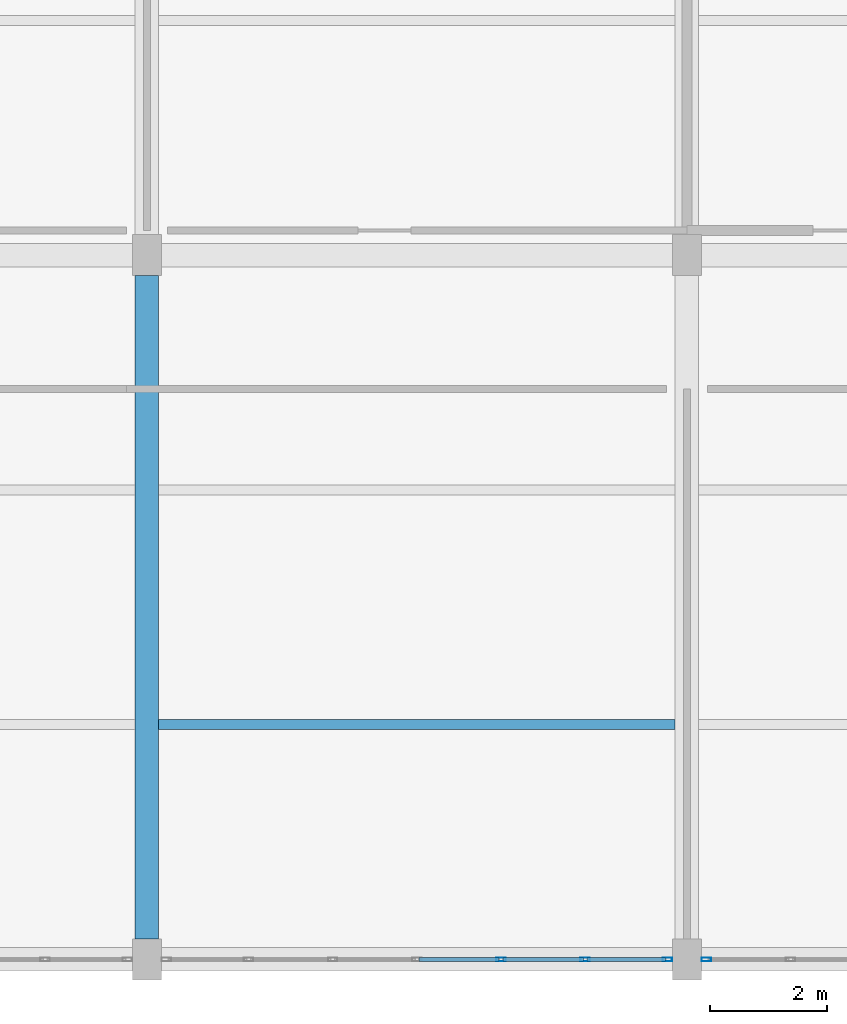
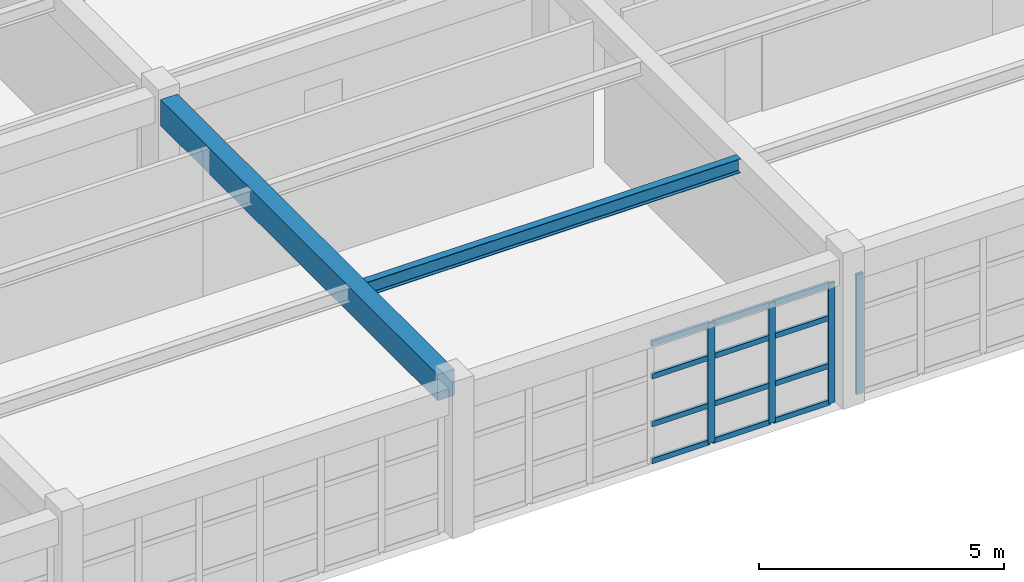
# One storey, part 23 of 150: 16 members, 2 beams, 2 elements without a shape of their own.
"""IFC4 building model written with IfcOpenShell, lengths in metres."""

from ifc_helpers import new_model, si_unit, direction, frame, origin, origin_2d, place, context, subcontext, project, spatial, rectangle, hollow_rectangle, i_section, extrude, material, material_profile, profile_set, type_object, element, aggregate, save


model = new_model("IFC4")

# Units and contexts
model_context = context("Model", 3, precision=1e-05, world=origin(), true_north=direction((0.0, 1.0)))
body_context = subcontext(model_context, "Body", "Model", "MODEL_VIEW")
ifc_project = project(units=[si_unit("LENGTHUNIT", "METRE"), si_unit("AREAUNIT", "SQUARE_METRE"), si_unit("VOLUMEUNIT", "CUBIC_METRE"), si_unit("PLANEANGLEUNIT", "RADIAN"), si_unit("MASSUNIT", "GRAM", prefix="KILO")], contexts=[model_context])

# Site, building, storey
site_placement = place(None, origin())
site = spatial("IfcSite", under=ifc_project, at=site_placement, CompositionType="ELEMENT")
building_placement = place(site_placement, origin())
building = spatial("IfcBuilding", under=site, at=building_placement, Name="Kestramere Prow Commons", CompositionType="ELEMENT")
storey_placement = place(building_placement, frame((0.0, 0.0, 4.5)))
storey = spatial("IfcBuildingStorey", under=building, at=storey_placement, Name="L01", CompositionType="ELEMENT", Elevation=4.5)

# Beam
ifc_material_1 = material(Name="Precast concrete C40/50", Category="concrete")
ifc_material_profile_1 = material_profile(ifc_material_1, rectangle(XDim=0.39990234375, YDim=0.64990234375, at=origin_2d()), Name="PC-BM 400x650")
ifc_profile_set_1 = profile_set([ifc_material_profile_1], Name="Precast concrete C40/50")
beam_type_1 = type_object("IfcBeamType", Name="BM-MK-01 PC-BM 400x650", PredefinedType="BEAM", material=ifc_profile_set_1)
beam_1_placement = place(storey_placement, frame((85.0, 0.35009765625, 3.324951171875), z_axis=(0.0, 1.0, 0.0), x_axis=(-1.0, 0.0, 0.0)))
element("IfcBeam", 1, at=beam_1_placement, inside=storey, type_object=beam_type_1, Name="Market Spine L01 Beam Y 4-1", PredefinedType="BEAM", context=body_context, shape_type="SweptSolid", body=[
    extrude(rectangle(XDim=0.39990234375, YDim=0.64990234375, at=origin_2d()), origin(), (0.0, 0.0, 1.0), 11.2998046875),
])

# Curtain wall, members
ifc_material_2 = material(Name="Anodised Aluminium and Low-E Glass", Category="aluminium")
curtain_wall_type_1 = type_object("IfcCurtainWallType", Name="CW-25 Glazed Curtain Wall 8600x2990", PredefinedType="USERDEFINED", material=ifc_material_2)
curtain_wall_1_placement = place(storey_placement, origin())
curtain_wall_1 = element("IfcCurtainWall", 2, at=curtain_wall_1_placement, inside=storey, type_object=curtain_wall_type_1, Name="Market L01 South Shopfront 4", ObjectType="GLAZED CURTAIN WALL", PredefinedType="USERDEFINED")
ifc_material_3 = material(Name="Anodised Aluminium 6063-T6", Category="aluminium")
ifc_material_profile_2 = material_profile(ifc_material_3, hollow_rectangle(XDim=0.06494140625, YDim=0.159912109375, WallThickness=0.00390625, at=origin_2d()), Name="ALU-MUL 65x160")
ifc_profile_set_2 = profile_set([ifc_material_profile_2], Name="Anodised Aluminium 6063-T6")
member_type_1 = type_object("IfcMemberType", Name="CW-MUL-65x160", PredefinedType="MULLION", material=ifc_profile_set_2)
member_1_placement = place(storey_placement, frame((93.867431640625, 0.0, 0.0), z_axis=(0.0, 0.0, 1.0), x_axis=(0.0, -1.0, 0.0)))
member_1 = element("IfcMember", 3, at=member_1_placement, type_object=member_type_1, Name="CW-25 mullion 1", PredefinedType="MULLION", context=body_context, shape_type="SweptSolid", body=[
    extrude(hollow_rectangle(XDim=0.06494140625, YDim=0.159912109375, WallThickness=0.00390625, at=origin_2d()), origin(), (0.0, 0.0, 1.0), 2.989990234375),
])
member_2_placement = place(storey_placement, frame((92.466552734375, 0.0, 0.0), z_axis=(0.0, 0.0, 1.0), x_axis=(0.0, -1.0, 0.0)))
member_2 = element("IfcMember", 4, at=member_2_placement, type_object=member_type_1, Name="CW-25 mullion 2", PredefinedType="MULLION", context=body_context, shape_type="SweptSolid", body=[
    extrude(hollow_rectangle(XDim=0.06494140625, YDim=0.159912109375, WallThickness=0.00390625, at=origin_2d()), origin(), (0.0, 0.0, 1.0), 2.989990234375),
])
member_3_placement = place(storey_placement, frame((91.033447265625, 0.0, 0.0), z_axis=(0.0, 0.0, 1.0), x_axis=(0.0, -1.0, 0.0)))
member_3 = element("IfcMember", 5, at=member_3_placement, type_object=member_type_1, Name="CW-25 mullion 3", PredefinedType="MULLION", context=body_context, shape_type="SweptSolid", body=[
    extrude(hollow_rectangle(XDim=0.06494140625, YDim=0.159912109375, WallThickness=0.00390625, at=origin_2d()), origin(), (0.0, 0.0, 1.0), 2.989990234375),
])

# Curtain wall, member
curtain_wall_type_2 = type_object("IfcCurtainWallType", Name="CW-26 Glazed Curtain Wall 8800x2990", PredefinedType="USERDEFINED", material=ifc_material_2)
curtain_wall_2_placement = place(storey_placement, origin())
curtain_wall_2 = element("IfcCurtainWall", 6, at=curtain_wall_2_placement, inside=storey, type_object=curtain_wall_type_2, Name="Market L01 South Shopfront 5", ObjectType="GLAZED CURTAIN WALL", PredefinedType="USERDEFINED")
member_4_placement = place(storey_placement, frame((94.532470703125, 0.0, 0.0), z_axis=(0.0, 0.0, 1.0), x_axis=(0.0, -1.0, 0.0)))
member_4 = element("IfcMember", 7, at=member_4_placement, type_object=member_type_1, Name="CW-26 mullion 7", PredefinedType="MULLION", context=body_context, shape_type="SweptSolid", body=[
    extrude(hollow_rectangle(XDim=0.06494140625, YDim=0.159912109375, WallThickness=0.00390625, at=origin_2d()), origin(), (0.0, 0.0, 1.0), 2.989990234375),
])
aggregate(curtain_wall_2, [member_4])

# Member
ifc_material_profile_3 = material_profile(ifc_material_3, hollow_rectangle(XDim=0.06494140625, YDim=0.1298828125, WallThickness=0.00390625, at=origin_2d()), Name="ALU-TRN 65x130")
ifc_profile_set_3 = profile_set([ifc_material_profile_3], Name="Anodised Aluminium 6063-T6")
member_type_2 = type_object("IfcMemberType", Name="CW-TRN-65x130", PredefinedType="USERDEFINED", material=ifc_profile_set_3)
member_5_placement = place(storey_placement, frame((93.8349609375, 0.0, 0.032470703125), z_axis=(-1.0, 0.0, 0.0), x_axis=(0.0, -1.0, 0.0)))
member_5 = element("IfcMember", 8, at=member_5_placement, type_object=member_type_2, Name="CW-25 transom 1.1", ObjectType="TRANSOM", PredefinedType="USERDEFINED", context=body_context, shape_type="SweptSolid", body=[
    extrude(hollow_rectangle(XDim=0.06494140625, YDim=0.1298828125, WallThickness=0.00390625, at=origin_2d()), origin(), (0.0, 0.0, 1.0), 1.335693359375),
])

member_6_placement = place(storey_placement, frame((93.8349609375, 0.0, 0.949951171875), z_axis=(-1.0, 0.0, 0.0), x_axis=(0.0, -1.0, 0.0)))
member_6 = element("IfcMember", 9, at=member_6_placement, type_object=member_type_2, Name="CW-25 transom 1.2", ObjectType="TRANSOM", PredefinedType="USERDEFINED", context=body_context, shape_type="SweptSolid", body=[
    extrude(hollow_rectangle(XDim=0.06494140625, YDim=0.1298828125, WallThickness=0.00390625, at=origin_2d()), origin(), (0.0, 0.0, 1.0), 1.335693359375),
])

member_7_placement = place(storey_placement, frame((93.8349609375, 0.0, 2.139892578125), z_axis=(-1.0, 0.0, 0.0), x_axis=(0.0, -1.0, 0.0)))
member_7 = element("IfcMember", 10, at=member_7_placement, type_object=member_type_2, Name="CW-25 transom 1.3", ObjectType="TRANSOM", PredefinedType="USERDEFINED", context=body_context, shape_type="SweptSolid", body=[
    extrude(hollow_rectangle(XDim=0.06494140625, YDim=0.1298828125, WallThickness=0.00390625, at=origin_2d()), origin(), (0.0, 0.0, 1.0), 1.335693359375),
])

member_8_placement = place(storey_placement, frame((93.8349609375, 0.0, 2.95751953125), z_axis=(-1.0, 0.0, 0.0), x_axis=(0.0, -1.0, 0.0)))
member_8 = element("IfcMember", 11, at=member_8_placement, type_object=member_type_2, Name="CW-25 transom 1.4", ObjectType="TRANSOM", PredefinedType="USERDEFINED", context=body_context, shape_type="SweptSolid", body=[
    extrude(hollow_rectangle(XDim=0.06494140625, YDim=0.1298828125, WallThickness=0.00390625, at=origin_2d()), origin(), (0.0, 0.0, 1.0), 1.335693359375),
])

member_9_placement = place(storey_placement, frame((92.43408203125, 0.0, 0.032470703125), z_axis=(-1.0, 0.0, 0.0), x_axis=(0.0, -1.0, 0.0)))
member_9 = element("IfcMember", 12, at=member_9_placement, type_object=member_type_2, Name="CW-25 transom 2.1", ObjectType="TRANSOM", PredefinedType="USERDEFINED", context=body_context, shape_type="SweptSolid", body=[
    extrude(hollow_rectangle(XDim=0.06494140625, YDim=0.1298828125, WallThickness=0.00390625, at=origin_2d()), origin(), (0.0, 0.0, 1.0), 1.3681640625),
])

member_10_placement = place(storey_placement, frame((92.43408203125, 0.0, 0.949951171875), z_axis=(-1.0, 0.0, 0.0), x_axis=(0.0, -1.0, 0.0)))
member_10 = element("IfcMember", 13, at=member_10_placement, type_object=member_type_2, Name="CW-25 transom 2.2", ObjectType="TRANSOM", PredefinedType="USERDEFINED", context=body_context, shape_type="SweptSolid", body=[
    extrude(hollow_rectangle(XDim=0.06494140625, YDim=0.1298828125, WallThickness=0.00390625, at=origin_2d()), origin(), (0.0, 0.0, 1.0), 1.3681640625),
])

member_11_placement = place(storey_placement, frame((92.43408203125, 0.0, 2.139892578125), z_axis=(-1.0, 0.0, 0.0), x_axis=(0.0, -1.0, 0.0)))
member_11 = element("IfcMember", 14, at=member_11_placement, type_object=member_type_2, Name="CW-25 transom 2.3", ObjectType="TRANSOM", PredefinedType="USERDEFINED", context=body_context, shape_type="SweptSolid", body=[
    extrude(hollow_rectangle(XDim=0.06494140625, YDim=0.1298828125, WallThickness=0.00390625, at=origin_2d()), origin(), (0.0, 0.0, 1.0), 1.3681640625),
])

member_12_placement = place(storey_placement, frame((92.43408203125, 0.0, 2.95751953125), z_axis=(-1.0, 0.0, 0.0), x_axis=(0.0, -1.0, 0.0)))
member_12 = element("IfcMember", 15, at=member_12_placement, type_object=member_type_2, Name="CW-25 transom 2.4", ObjectType="TRANSOM", PredefinedType="USERDEFINED", context=body_context, shape_type="SweptSolid", body=[
    extrude(hollow_rectangle(XDim=0.06494140625, YDim=0.1298828125, WallThickness=0.00390625, at=origin_2d()), origin(), (0.0, 0.0, 1.0), 1.3681640625),
])

member_13_placement = place(storey_placement, frame((91.000732421875, 0.0, 0.032470703125), z_axis=(-1.0, 0.0, 0.0), x_axis=(0.0, -1.0, 0.0)))
member_13 = element("IfcMember", 16, at=member_13_placement, type_object=member_type_2, Name="CW-25 transom 3.1", ObjectType="TRANSOM", PredefinedType="USERDEFINED", context=body_context, shape_type="SweptSolid", body=[
    extrude(hollow_rectangle(XDim=0.06494140625, YDim=0.1298828125, WallThickness=0.00390625, at=origin_2d()), origin(), (0.0, 0.0, 1.0), 1.3681640625),
])

member_14_placement = place(storey_placement, frame((91.000732421875, 0.0, 0.949951171875), z_axis=(-1.0, 0.0, 0.0), x_axis=(0.0, -1.0, 0.0)))
member_14 = element("IfcMember", 17, at=member_14_placement, type_object=member_type_2, Name="CW-25 transom 3.2", ObjectType="TRANSOM", PredefinedType="USERDEFINED", context=body_context, shape_type="SweptSolid", body=[
    extrude(hollow_rectangle(XDim=0.06494140625, YDim=0.1298828125, WallThickness=0.00390625, at=origin_2d()), origin(), (0.0, 0.0, 1.0), 1.3681640625),
])

member_15_placement = place(storey_placement, frame((91.000732421875, 0.0, 2.139892578125), z_axis=(-1.0, 0.0, 0.0), x_axis=(0.0, -1.0, 0.0)))
member_15 = element("IfcMember", 18, at=member_15_placement, type_object=member_type_2, Name="CW-25 transom 3.3", ObjectType="TRANSOM", PredefinedType="USERDEFINED", context=body_context, shape_type="SweptSolid", body=[
    extrude(hollow_rectangle(XDim=0.06494140625, YDim=0.1298828125, WallThickness=0.00390625, at=origin_2d()), origin(), (0.0, 0.0, 1.0), 1.3681640625),
])

member_16_placement = place(storey_placement, frame((91.000732421875, 0.0, 2.95751953125), z_axis=(-1.0, 0.0, 0.0), x_axis=(0.0, -1.0, 0.0)))
member_16 = element("IfcMember", 19, at=member_16_placement, type_object=member_type_2, Name="CW-25 transom 3.4", ObjectType="TRANSOM", PredefinedType="USERDEFINED", context=body_context, shape_type="SweptSolid", body=[
    extrude(hollow_rectangle(XDim=0.06494140625, YDim=0.1298828125, WallThickness=0.00390625, at=origin_2d()), origin(), (0.0, 0.0, 1.0), 1.3681640625),
])

aggregate(curtain_wall_1, [member_1, member_2, member_3, member_5, member_6, member_7, member_8, member_9, member_10, member_11, member_12, member_13, member_14, member_15, member_16])

# Beam
ifc_material_4 = material(Name="Steel S355JR", Category="steel")
ifc_material_profile_4 = material_profile(ifc_material_4, i_section(OverallWidth=0.17138671875, OverallDepth=0.35498046875, WebThickness=0.00732421875, FlangeThickness=0.011474609375, FilletRadius=0.01025390625, at=origin_2d()), Name="UB 356x171x51")
ifc_profile_set_4 = profile_set([ifc_material_profile_4], Name="Steel S355JR")
beam_type_2 = type_object("IfcBeamType", Name="JST-MK-01 UB 356x171x51", PredefinedType="JOIST", material=ifc_profile_set_4)
beam_2_placement = place(storey_placement, frame((85.199951171875, 4.0, 3.472412109375), z_axis=(1.0, 0.0, 0.0), x_axis=(0.0, 1.0, 0.0)))
element("IfcBeam", 20, at=beam_2_placement, inside=storey, type_object=beam_type_2, Name="Market Spine L01 Secondary Joist 4-4", PredefinedType="JOIST", context=body_context, shape_type="SweptSolid", body=[
    extrude(i_section(OverallWidth=0.17138671875, OverallDepth=0.35498046875, WebThickness=0.00732421875, FlangeThickness=0.011474609375, FilletRadius=0.01025390625, at=origin_2d()), origin(), (0.0, 0.0, 1.0), 8.800048828125),
])

save(model, "model.ifc")
